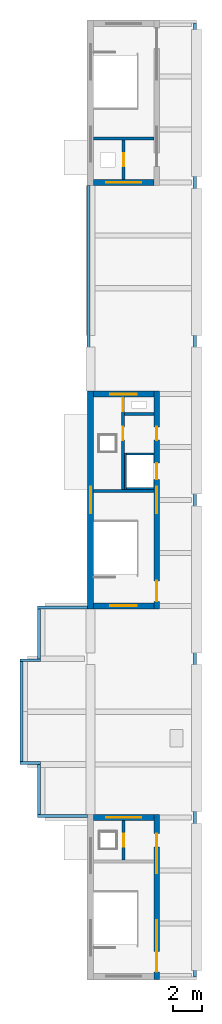
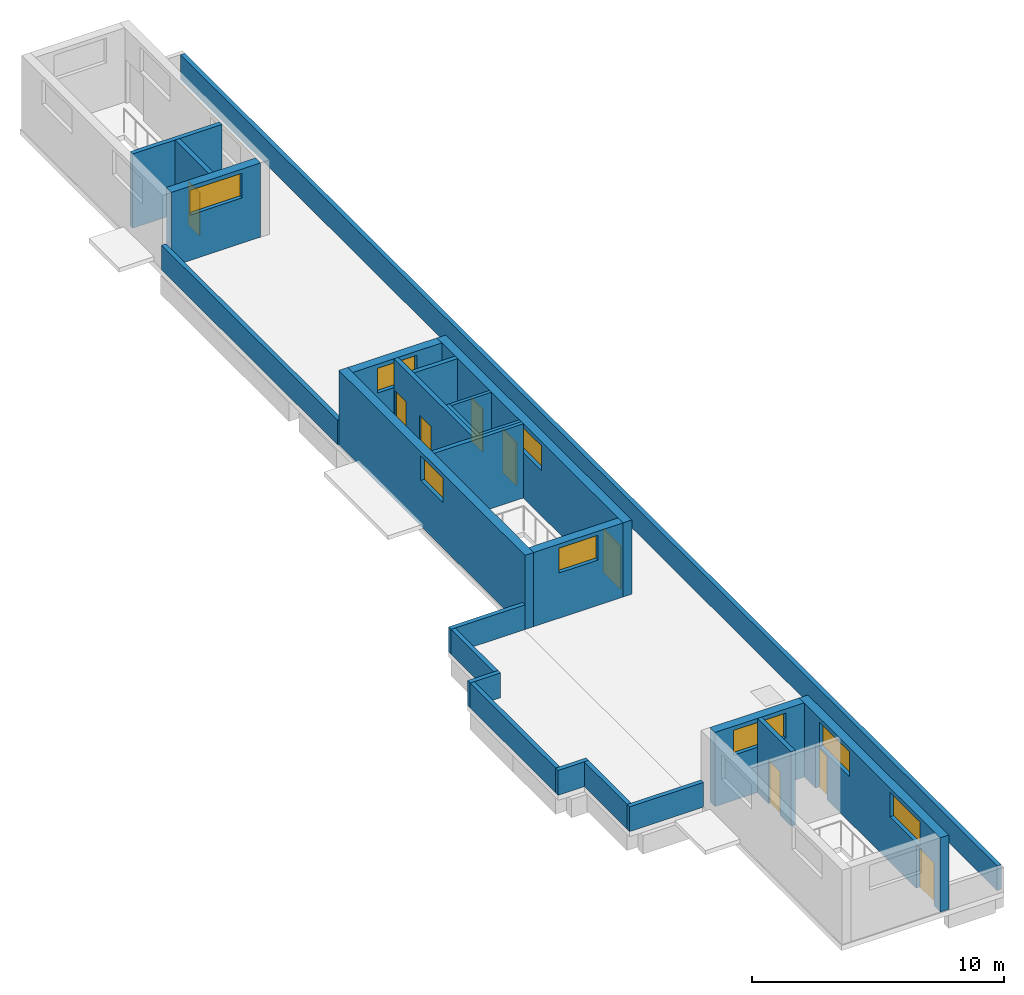
# One storey, part 2 of 4: 25 walls, 9 doors, 8 windows, 17 openings.
"""IFC4 building model written with IfcOpenShell, lengths in metres."""

from ifc_helpers import new_model, si_unit, direction, frame, frame_2d, origin, place, context, subcontext, project, spatial, rectangle, extrude, material, layer, layer_set, type_object, element, fill, save


model = new_model("IFC4")

# Units and contexts
model_context = context("Model", 3, precision=1e-05, world=origin(), true_north=direction((0.0, 1.0)))
body_context = subcontext(model_context, "Body", "Model", "MODEL_VIEW")
ifc_project = project(units=[si_unit("LENGTHUNIT", "METRE"), si_unit("AREAUNIT", "SQUARE_METRE"), si_unit("VOLUMEUNIT", "CUBIC_METRE"), si_unit("PLANEANGLEUNIT", "RADIAN"), si_unit("MASSUNIT", "GRAM", prefix="KILO")], contexts=[model_context])

# Site, building, storey
site_placement = place(None, origin())
site = spatial("IfcSite", under=ifc_project, at=site_placement, CompositionType="ELEMENT")
building_placement = place(site_placement, origin())
building = spatial("IfcBuilding", under=site, at=building_placement, Name="Basin Gate Institute", CompositionType="ELEMENT")
storey_placement = place(building_placement, frame((0.0, 0.0, 75.0)))
storey = spatial("IfcBuildingStorey", under=building, at=storey_placement, Name="RF", CompositionType="ELEMENT", Elevation=75.0)

# Walls
ifc_material_1 = material(Name="Concrete 40 MPa", Category="concrete")
ifc_layer_1 = layer(ifc_material_1, 0.199951171875)
ifc_layer_set_1 = layer_set([ifc_layer_1], Name="Concrete 40 MPa")
wall_type_1 = type_object("IfcWallType", Name="Parapet wall PA1", PredefinedType="PARAPET", material=ifc_layer_set_1)
wall_1_placement = place(storey_placement, frame((57.699951171875, 46.10009765625, 0.0), z_axis=(0.0, 0.0, 1.0), x_axis=(0.0, 1.0, 0.0)))
element("IfcWall", 1, at=wall_1_placement, inside=storey, type_object=wall_type_1, material=ifc_layer_set_1, Name="Parapet wall PA1 RF W1", PredefinedType="PARAPET", context=body_context, shape_type="SweptSolid", body=[
    extrude(rectangle(XDim=3.39990234375, YDim=0.199951171875, at=frame_2d((1.699951171875, 0.0))), origin(), (0.0, 0.0, 1.0), 1.199951171875),
])
wall_2_placement = place(storey_placement, frame((57.800048828125, 49.60009765625, 0.0), z_axis=(0.0, 0.0, 1.0), x_axis=(-1.0, 0.0, 0.0)))
element("IfcWall", 2, at=wall_2_placement, inside=storey, type_object=wall_type_1, material=ifc_layer_set_1, Name="Parapet wall PA1 RF W2", PredefinedType="PARAPET", context=body_context, shape_type="SweptSolid", body=[
    extrude(rectangle(XDim=1.400146484375, YDim=0.199951171875, at=frame_2d((0.7001953125, 0.0))), origin(), (0.0, 0.0, 1.0), 1.199951171875),
])
wall_3_placement = place(storey_placement, frame((56.5, 49.699951171875, 0.0), z_axis=(0.0, 0.0, 1.0), x_axis=(0.0, 1.0, 0.0)))
element("IfcWall", 3, at=wall_3_placement, inside=storey, type_object=wall_type_1, material=ifc_layer_set_1, Name="Parapet wall PA1 RF W3", PredefinedType="PARAPET", context=body_context, shape_type="SweptSolid", body=[
    extrude(rectangle(XDim=6.800048828125, YDim=0.199951171875, at=frame_2d((3.39990234375, 0.0))), origin(), (0.0, 0.0, 1.0), 1.199951171875),
])
wall_4_placement = place(storey_placement, frame((56.39990234375, 56.60009765625, 0.0), z_axis=(0.0, 0.0, 1.0), x_axis=(1.0, 0.0, 0.0)))
element("IfcWall", 4, at=wall_4_placement, inside=storey, type_object=wall_type_1, material=ifc_layer_set_1, Name="Parapet wall PA1 RF W4", PredefinedType="PARAPET", context=body_context, shape_type="SweptSolid", body=[
    extrude(rectangle(XDim=1.400146484375, YDim=0.199951171875, at=frame_2d((0.7001953125, 0.0))), origin(), (0.0, 0.0, 1.0), 1.199951171875),
])
wall_5_placement = place(storey_placement, frame((57.699951171875, 56.699951171875, 0.0), z_axis=(0.0, 0.0, 1.0), x_axis=(0.0, 1.0, 0.0)))
element("IfcWall", 5, at=wall_5_placement, inside=storey, type_object=wall_type_1, material=ifc_layer_set_1, Name="Parapet wall PA1 RF W5", PredefinedType="PARAPET", context=body_context, shape_type="SweptSolid", body=[
    extrude(rectangle(XDim=3.400146484375, YDim=0.199951171875, at=frame_2d((1.7001953125, 0.0))), origin(), (0.0, 0.0, 1.0), 1.199951171875),
])
wall_6_placement = place(storey_placement, frame((57.60009765625, 60.199951171875, 0.0), z_axis=(0.0, 0.0, 1.0), x_axis=(1.0, 0.0, 0.0)))
element("IfcWall", 6, at=wall_6_placement, inside=storey, type_object=wall_type_1, material=ifc_layer_set_1, Name="Parapet wall PA1 RF W6", PredefinedType="PARAPET", context=body_context, shape_type="SweptSolid", body=[
    extrude(rectangle(XDim=3.39990234375, YDim=0.199951171875, at=frame_2d((1.699951171875, 0.0))), origin(), (0.0, 0.0, 1.0), 1.199951171875),
])
wall_7_placement = place(storey_placement, frame((61.050048828125, 74.89990234375, 0.0), z_axis=(0.0, 0.0, 1.0), x_axis=(0.0, 1.0, 0.0)))
element("IfcWall", 7, at=wall_7_placement, inside=storey, type_object=wall_type_1, material=ifc_layer_set_1, Name="Parapet wall PA1 RF W7", PredefinedType="PARAPET", context=body_context, shape_type="SweptSolid", body=[
    extrude(rectangle(XDim=14.0, YDim=0.199951171875, at=frame_2d((7.0, 0.0))), origin(), (0.0, 0.0, 1.0), 1.199951171875),
])
wall_8_placement = place(storey_placement, frame((68.300048828125, 99.949951171875, 0.0), z_axis=(0.0, 0.0, 1.0), x_axis=(0.0, -1.0, 0.0)))
element("IfcWall", 8, at=wall_8_placement, inside=storey, type_object=wall_type_1, material=ifc_layer_set_1, Name="Parapet wall PA1 RF W9", PredefinedType="PARAPET", context=body_context, shape_type="SweptSolid", body=[
    extrude(rectangle(XDim=64.89990234375, YDim=0.199951171875, at=frame_2d((32.449951171875, 0.0))), origin(), (0.0, 0.0, 1.0), 1.199951171875),
])
wall_9_placement = place(storey_placement, frame((61.0, 46.0, 0.0), z_axis=(0.0, 0.0, 1.0), x_axis=(-1.0, 0.0, 0.0)))
element("IfcWall", 9, at=wall_9_placement, inside=storey, type_object=wall_type_1, material=ifc_layer_set_1, Name="Parapet wall PA1 RF W11", PredefinedType="PARAPET", context=body_context, shape_type="SweptSolid", body=[
    extrude(rectangle(XDim=3.39990234375, YDim=0.199951171875, at=frame_2d((1.699951171875, 0.0))), origin(), (0.0, 0.0, 1.0), 1.199951171875),
])

# Wall, opening, door
ifc_material_2 = material(Name="Concrete 40 MPa", Category="concrete")
ifc_layer_2 = layer(ifc_material_2, 0.199951171875)
ifc_layer_set_2 = layer_set([ifc_layer_2], Name="Concrete 40 MPa")
wall_type_2 = type_object("IfcWallType", Name="Penthouse partition wall RW2 R60", PredefinedType="SOLIDWALL", material=ifc_layer_set_2)
wall_10_placement = place(storey_placement, frame((63.449951171875, 43.02490234375, 0.0), z_axis=(0.0, 0.0, 1.0), x_axis=(0.0, 1.0, 0.0)))
wall_10 = element("IfcWall", 10, at=wall_10_placement, inside=storey, type_object=wall_type_2, material=ifc_layer_set_2, Name="Penthouse partition RW2 WS", PredefinedType="SOLIDWALL", context=body_context, shape_type="SweptSolid", body=[
    extrude(rectangle(XDim=2.675048828125, YDim=0.199951171875, at=frame_2d((1.33740234375, 0.0))), origin(), (0.0, 0.0, 1.0), 3.60009765625),
])
opening_1_placement = place(wall_10_placement, frame((0.887451171875, 0.0, 0.0)))
opening_1 = element("IfcOpeningElement", 11, at=opening_1_placement, cuts=wall_10, Name="Opening D14", PredefinedType="OPENING", context=body_context, shape_type="SweptSolid", body=[
    extrude(rectangle(XDim=0.89990234375, YDim=2.10009765625, at=frame_2d((0.449951171875, 1.050048828125))), frame((0.0, 0.10986328125, 0.0), z_axis=(0.0, -1.0, 0.0), x_axis=(1.0, 0.0, 0.0)), (0.0, 0.0, 1.0), 0.219970703125),
])
ifc_material_3 = material(Name="Steel fire door", Category="steel")
door_type_1 = type_object("IfcDoorType", Name="Plant room door D14", OperationType="NOTDEFINED", PredefinedType="DOOR", material=ifc_material_3)
door_1_placement = place(opening_1_placement, origin())
door_1 = element("IfcDoor", 12, at=door_1_placement, inside=storey, type_object=door_type_1, material=ifc_material_3, Name="Door to Exhaust Fan Room WS", OperationType="SINGLE_SWING_RIGHT", OverallHeight=2.10009765625, OverallWidth=0.89990234375, PredefinedType="DOOR", context=body_context, shape_type="SweptSolid", body=[
    extrude(rectangle(XDim=0.89990234375, YDim=2.10009765625, at=frame_2d((0.449951171875, 1.050048828125))), frame((0.0, 0.02490234375, 0.0), z_axis=(0.0, -1.0, 0.0), x_axis=(1.0, 0.0, 0.0)), (0.0, 0.0, 1.0), 0.050048828125),
])
fill(opening_1, door_1)

# Wall
wall_11_placement = place(storey_placement, frame((63.5, 73.35009765625, 0.0), z_axis=(0.0, 0.0, 1.0), x_axis=(1.0, 0.0, 0.0)))
element("IfcWall", 13, at=wall_11_placement, inside=storey, type_object=wall_type_2, material=ifc_layer_set_2, Name="Penthouse partition RW2 WM", PredefinedType="SOLIDWALL", context=body_context, shape_type="SweptSolid", body=[
    extrude(rectangle(XDim=2.0, YDim=0.199951171875, at=frame_2d((1.0, 0.0))), origin(), (0.0, 0.0, 1.0), 3.60009765625),
])

# Wall, openings, doors
wall_12_placement = place(storey_placement, frame((63.39990234375, 68.22509765625, 0.0), z_axis=(0.0, 0.0, 1.0), x_axis=(0.0, 1.0, 0.0)))
wall_12 = element("IfcWall", 14, at=wall_12_placement, inside=storey, type_object=wall_type_2, material=ifc_layer_set_2, Name="Penthouse partition RW2 WM", PredefinedType="SOLIDWALL", context=body_context, shape_type="SweptSolid", body=[
    extrude(rectangle(XDim=6.27490234375, YDim=0.199951171875, at=frame_2d((3.137451171875, 0.0))), origin(), (0.0, 0.0, 1.0), 3.60009765625),
])
opening_2_placement = place(wall_12_placement, frame((3.35009765625, 0.0, 0.0)))
opening_2 = element("IfcOpeningElement", 15, at=opening_2_placement, cuts=wall_12, Name="Opening D14", PredefinedType="OPENING", context=body_context, shape_type="SweptSolid", body=[
    extrude(rectangle(XDim=0.89990234375, YDim=2.10009765625, at=frame_2d((0.449951171875, 1.050048828125))), frame((0.0, 0.10986328125, 0.0), z_axis=(0.0, -1.0, 0.0), x_axis=(1.0, 0.0, 0.0)), (0.0, 0.0, 1.0), 0.219970703125),
])
opening_3_placement = place(wall_12_placement, frame((5.300048828125, 0.0, 0.0)))
opening_3 = element("IfcOpeningElement", 16, at=opening_3_placement, cuts=wall_12, Name="Opening D14", PredefinedType="OPENING", context=body_context, shape_type="SweptSolid", body=[
    extrude(rectangle(XDim=0.89990234375, YDim=2.10009765625, at=frame_2d((0.449951171875, 1.050048828125))), frame((0.0, 0.10986328125, 0.0), z_axis=(0.0, -1.0, 0.0), x_axis=(1.0, 0.0, 0.0)), (0.0, 0.0, 1.0), 0.219970703125),
])
door_2_placement = place(opening_2_placement, origin())
door_2 = element("IfcDoor", 17, at=door_2_placement, inside=storey, type_object=door_type_1, material=ifc_material_3, Name="Door to Exhaust Fan Room WM", OperationType="SINGLE_SWING_RIGHT", OverallHeight=2.10009765625, OverallWidth=0.89990234375, PredefinedType="DOOR", context=body_context, shape_type="SweptSolid", body=[
    extrude(rectangle(XDim=0.89990234375, YDim=2.10009765625, at=frame_2d((0.449951171875, 1.050048828125))), frame((0.0, 0.02490234375, 0.0), z_axis=(0.0, -1.0, 0.0), x_axis=(1.0, 0.0, 0.0)), (0.0, 0.0, 1.0), 0.050048828125),
])
fill(opening_2, door_2)
door_3_placement = place(opening_3_placement, frame((0.89990234375, 0.0, 0.0), z_axis=(0.0, 0.0, 1.0), x_axis=(-1.0, 0.0, 0.0)))
door_3 = element("IfcDoor", 18, at=door_3_placement, inside=storey, type_object=door_type_1, material=ifc_material_3, Name="Door to Riser Room WM", OperationType="SINGLE_SWING_RIGHT", OverallHeight=2.10009765625, OverallWidth=0.89990234375, PredefinedType="DOOR", context=body_context, shape_type="SweptSolid", body=[
    extrude(rectangle(XDim=0.89990234375, YDim=2.10009765625, at=frame_2d((0.449951171875, 1.050048828125))), frame((0.0, 0.02490234375, 0.0), z_axis=(0.0, -1.0, 0.0), x_axis=(1.0, 0.0, 0.0)), (0.0, 0.0, 1.0), 0.050048828125),
])
fill(opening_3, door_3)

# Wall
wall_13_placement = place(storey_placement, frame((61.39990234375, 68.125, 0.0), z_axis=(0.0, 0.0, 1.0), x_axis=(1.0, 0.0, 0.0)))
element("IfcWall", 19, at=wall_13_placement, inside=storey, type_object=wall_type_2, material=ifc_layer_set_2, Name="Penthouse partition RW2 WM", PredefinedType="SOLIDWALL", context=body_context, shape_type="SweptSolid", body=[
    extrude(rectangle(XDim=4.10009765625, YDim=0.199951171875, at=frame_2d((2.050048828125, 0.0))), origin(), (0.0, 0.0, 1.0), 3.60009765625),
])

# Wall, opening, door
wall_14_placement = place(storey_placement, frame((63.449951171875, 89.300048828125, 0.0), z_axis=(0.0, 0.0, 1.0), x_axis=(0.0, 1.0, 0.0)))
wall_14 = element("IfcWall", 20, at=wall_14_placement, inside=storey, type_object=wall_type_2, material=ifc_layer_set_2, Name="Penthouse partition RW2 WN", PredefinedType="SOLIDWALL", context=body_context, shape_type="SweptSolid", body=[
    extrude(rectangle(XDim=2.675048828125, YDim=0.199951171875, at=frame_2d((1.33740234375, 0.0))), origin(), (0.0, 0.0, 1.0), 3.60009765625),
])
opening_4_placement = place(wall_14_placement, frame((0.887451171875, 0.0, 0.0)))
opening_4 = element("IfcOpeningElement", 21, at=opening_4_placement, cuts=wall_14, Name="Opening D14", PredefinedType="OPENING", context=body_context, shape_type="SweptSolid", body=[
    extrude(rectangle(XDim=0.89990234375, YDim=2.10009765625, at=frame_2d((0.449951171875, 1.050048828125))), frame((0.0, 0.10986328125, 0.0), z_axis=(0.0, -1.0, 0.0), x_axis=(1.0, 0.0, 0.0)), (0.0, 0.0, 1.0), 0.219970703125),
])
door_4_placement = place(opening_4_placement, origin())
door_4 = element("IfcDoor", 22, at=door_4_placement, inside=storey, type_object=door_type_1, material=ifc_material_3, Name="Door to Electrical Room WN", OperationType="SINGLE_SWING_LEFT", OverallHeight=2.10009765625, OverallWidth=0.89990234375, PredefinedType="DOOR", context=body_context, shape_type="SweptSolid", body=[
    extrude(rectangle(XDim=0.89990234375, YDim=2.10009765625, at=frame_2d((0.449951171875, 1.050048828125))), frame((0.0, 0.02490234375, 0.0), z_axis=(0.0, -1.0, 0.0), x_axis=(1.0, 0.0, 0.0)), (0.0, 0.0, 1.0), 0.050048828125),
])
fill(opening_4, door_4)

# Walls
wall_15_placement = place(storey_placement, frame((61.39990234375, 92.074951171875, 0.0), z_axis=(0.0, 0.0, 1.0), x_axis=(1.0, 0.0, 0.0)))
element("IfcWall", 23, at=wall_15_placement, inside=storey, type_object=wall_type_2, material=ifc_layer_set_2, Name="Penthouse partition RW2 WN", PredefinedType="SOLIDWALL", context=body_context, shape_type="SweptSolid", body=[
    extrude(rectangle(XDim=4.10009765625, YDim=0.199951171875, at=frame_2d((2.050048828125, 0.0))), origin(), (0.0, 0.0, 1.0), 3.60009765625),
])
ifc_material_4 = material(Name="Concrete 40 MPa", Category="concrete")
ifc_layer_3 = layer(ifc_material_4, 0.14990234375)
ifc_layer_set_3 = layer_set([ifc_layer_3], Name="Concrete 40 MPa")
wall_type_3 = type_object("IfcWallType", Name="Wall LS1 lift shaft enclosure R60", PredefinedType="SOLIDWALL", material=ifc_layer_set_3)
wall_16_placement = place(storey_placement, frame((63.574951171875, 68.199951171875, 0.0), z_axis=(0.0, 0.0, 1.0), x_axis=(0.0, 1.0, 0.0)))
element("IfcWall", 24, at=wall_16_placement, inside=storey, type_object=wall_type_3, material=ifc_layer_set_3, Name="Lift shaft enclosure LF1 RF UL", PredefinedType="SOLIDWALL", context=body_context, shape_type="SweptSolid", body=[
    extrude(rectangle(XDim=2.5, YDim=0.14990234375, at=frame_2d((1.25, 0.0))), origin(), (0.0, 0.0, 1.0), 3.60009765625),
])
for number, where, z_axis, x_axis, name in (
    (25, (63.64990234375, 68.27490234375, 0.0), (0.0, 0.0, 1.0), (1.0, 0.0, 0.0), "Lift shaft enclosure LF1 RF RL"),
    (26, (63.64990234375, 70.625, 0.0), (0.0, 0.0, 1.0), (1.0, 0.0, 0.0), "Lift shaft enclosure LF1 RF RH"),
):
    element("IfcWall", number, at=place(storey_placement, frame(where, z_axis=z_axis, x_axis=x_axis)), inside=storey, type_object=wall_type_3, material=ifc_layer_set_3, Name=name, PredefinedType="SOLIDWALL", context=body_context, shape_type="SweptSolid", body=[
        extrude(rectangle(XDim=1.85009765625, YDim=0.14990234375, at=frame_2d((0.925048828125, 0.0))), origin(), (0.0, 0.0, 1.0), 3.60009765625),
    ])

# Wall, openings, windows, doors
ifc_material_5 = material(Name="Concrete 50 MPa", Category="concrete")
ifc_layer_4 = layer(ifc_material_5, 0.39990234375)
ifc_layer_set_4 = layer_set([ifc_layer_4], Name="Concrete 50 MPa")
wall_type_4 = type_object("IfcWallType", Name="Wall SW2 R60", PredefinedType="SHEAR", material=ifc_layer_set_4)
wall_17_placement = place(storey_placement, frame((65.699951171875, 34.89990234375, 0.0), z_axis=(0.0, 0.0, 1.0), x_axis=(0.0, 1.0, 0.0)))
wall_17 = element("IfcWall", 27, at=wall_17_placement, inside=storey, type_object=wall_type_4, material=ifc_layer_set_4, Name="WALL/RF/WS/C", PredefinedType="SHEAR", context=body_context, shape_type="SweptSolid", body=[
    extrude(rectangle(XDim=11.2001953125, YDim=0.39990234375, at=frame_2d((5.60009765625, 0.0))), origin(), (0.0, 0.0, 1.0), 3.60009765625),
])
opening_5_placement = place(wall_17_placement, frame((0.5, 0.0, 0.0)))
opening_5 = element("IfcOpeningElement", 28, at=opening_5_placement, cuts=wall_17, Name="Opening DF01", PredefinedType="OPENING", context=body_context, shape_type="SweptSolid", body=[
    extrude(rectangle(XDim=1.39990234375, YDim=2.10009765625, at=frame_2d((0.699951171875, 1.050048828125))), frame((0.0, 0.2099609375, 0.0), z_axis=(0.0, -1.0, 0.0), x_axis=(1.0, 0.0, 0.0)), (0.0, 0.0, 1.0), 0.419921875),
])
opening_6_placement = place(wall_17_placement, frame((1.60009765625, 0.0, 2.199951171875)))
opening_6 = element("IfcOpeningElement", 29, at=opening_6_placement, cuts=wall_17, Name="Opening LV1", PredefinedType="OPENING", context=body_context, shape_type="SweptSolid", body=[
    extrude(rectangle(XDim=2.39990234375, YDim=1.199951171875, at=frame_2d((1.199951171875, 0.60009765625))), frame((0.0, 0.2099609375, 0.0), z_axis=(0.0, -1.0, 0.0), x_axis=(1.0, 0.0, 0.0)), (0.0, 0.0, 1.0), 0.419921875),
])
opening_7_placement = place(wall_17_placement, frame((7.199951171875, 0.0, 2.199951171875)))
opening_7 = element("IfcOpeningElement", 30, at=opening_7_placement, cuts=wall_17, Name="Opening LV1", PredefinedType="OPENING", context=body_context, shape_type="SweptSolid", body=[
    extrude(rectangle(XDim=2.39990234375, YDim=1.199951171875, at=frame_2d((1.199951171875, 0.60009765625))), frame((0.0, 0.2099609375, 0.0), z_axis=(0.0, -1.0, 0.0), x_axis=(1.0, 0.0, 0.0)), (0.0, 0.0, 1.0), 0.419921875),
])
opening_8_placement = place(wall_17_placement, frame((9.012451171875, 0.0, 0.0)))
opening_8 = element("IfcOpeningElement", 31, at=opening_8_placement, cuts=wall_17, Name="Opening D14", PredefinedType="OPENING", context=body_context, shape_type="SweptSolid", body=[
    extrude(rectangle(XDim=0.89990234375, YDim=2.10009765625, at=frame_2d((0.449951171875, 1.050048828125))), frame((0.0, 0.2099609375, 0.0), z_axis=(0.0, -1.0, 0.0), x_axis=(1.0, 0.0, 0.0)), (0.0, 0.0, 1.0), 0.419921875),
])
ifc_material_6 = material(Name="Aluminium louvre", Category="aluminium")
window_type_1 = type_object("IfcWindowType", Name="Exhaust louvre LV1", PartitioningType="SINGLE_PANEL", PredefinedType="USERDEFINED", material=ifc_material_6)
window_1_placement = place(opening_6_placement, origin())
window_1 = element("IfcWindow", 32, at=window_1_placement, inside=storey, type_object=window_type_1, material=ifc_material_6, Name="Exhaust louvre LV1 WS stack C1", ObjectType="LOUVRE", OverallHeight=1.199951171875, OverallWidth=2.39990234375, PartitioningType="SINGLE_PANEL", PredefinedType="USERDEFINED", context=body_context, shape_type="SweptSolid", body=[
    extrude(rectangle(XDim=2.39990234375, YDim=1.199951171875, at=frame_2d((1.199951171875, 0.60009765625))), frame((0.0, 0.030029296875, 0.0), z_axis=(0.0, -1.0, 0.0), x_axis=(1.0, 0.0, 0.0)), (0.0, 0.0, 1.0), 0.06005859375),
])
fill(opening_6, window_1)
window_2_placement = place(opening_7_placement, origin())
window_2 = element("IfcWindow", 33, at=window_2_placement, inside=storey, type_object=window_type_1, material=ifc_material_6, Name="Exhaust louvre LV1 WS stack C2", ObjectType="LOUVRE", OverallHeight=1.199951171875, OverallWidth=2.39990234375, PartitioningType="SINGLE_PANEL", PredefinedType="USERDEFINED", context=body_context, shape_type="SweptSolid", body=[
    extrude(rectangle(XDim=2.39990234375, YDim=1.199951171875, at=frame_2d((1.199951171875, 0.60009765625))), frame((0.0, 0.030029296875, 0.0), z_axis=(0.0, -1.0, 0.0), x_axis=(1.0, 0.0, 0.0)), (0.0, 0.0, 1.0), 0.06005859375),
])
fill(opening_7, window_2)
ifc_material_7 = material(Name="Steel fire door", Category="steel")
door_type_2 = type_object("IfcDoorType", Name="FD30 Roof access door DF", OperationType="DOUBLE_DOOR_SINGLE_SWING", PredefinedType="DOOR", material=ifc_material_7)
door_5_placement = place(opening_5_placement, frame((1.39990234375, 0.0, 0.0), z_axis=(0.0, 0.0, 1.0), x_axis=(-1.0, 0.0, 0.0)))
door_5 = element("IfcDoor", 34, at=door_5_placement, inside=storey, type_object=door_type_2, material=ifc_material_7, Name="Roof access door ST-WS", OperationType="DOUBLE_DOOR_SINGLE_SWING", OverallHeight=2.10009765625, OverallWidth=1.39990234375, PredefinedType="DOOR", context=body_context, shape_type="SweptSolid", body=[
    extrude(rectangle(XDim=1.39990234375, YDim=2.10009765625, at=frame_2d((0.699951171875, 1.050048828125))), frame((0.0, 0.02490234375, 0.0), z_axis=(0.0, -1.0, 0.0), x_axis=(1.0, 0.0, 0.0)), (0.0, 0.0, 1.0), 0.050048828125),
])
fill(opening_5, door_5)
door_6_placement = place(opening_8_placement, origin())
door_6 = element("IfcDoor", 35, at=door_6_placement, inside=storey, type_object=door_type_1, material=ifc_material_3, Name="Door to Lift Machine Room LP1", OperationType="SINGLE_SWING_LEFT", OverallHeight=2.10009765625, OverallWidth=0.89990234375, PredefinedType="DOOR", context=body_context, shape_type="SweptSolid", body=[
    extrude(rectangle(XDim=0.89990234375, YDim=2.10009765625, at=frame_2d((0.449951171875, 1.050048828125))), frame((0.0, 0.02490234375, 0.0), z_axis=(0.0, -1.0, 0.0), x_axis=(1.0, 0.0, 0.0)), (0.0, 0.0, 1.0), 0.050048828125),
])
fill(opening_8, door_6)

# Wall, opening, window
wall_18_placement = place(storey_placement, frame((61.39990234375, 45.89990234375, 0.0), z_axis=(0.0, 0.0, 1.0), x_axis=(1.0, 0.0, 0.0)))
wall_18 = element("IfcWall", 36, at=wall_18_placement, inside=storey, type_object=wall_type_4, material=ifc_layer_set_4, Name="WALL/RF/WS/N", PredefinedType="SHEAR", context=body_context, shape_type="SweptSolid", body=[
    extrude(rectangle(XDim=4.10009765625, YDim=0.39990234375, at=frame_2d((2.050048828125, 0.0))), origin(), (0.0, 0.0, 1.0), 3.60009765625),
])
opening_9_placement = place(wall_18_placement, frame((0.85009765625, 0.0, 2.199951171875)))
opening_9 = element("IfcOpeningElement", 37, at=opening_9_placement, cuts=wall_18, Name="Opening LV1", PredefinedType="OPENING", context=body_context, shape_type="SweptSolid", body=[
    extrude(rectangle(XDim=2.39990234375, YDim=1.199951171875, at=frame_2d((1.199951171875, 0.60009765625))), frame((0.0, 0.2099609375, 0.0), z_axis=(0.0, -1.0, 0.0), x_axis=(1.0, 0.0, 0.0)), (0.0, 0.0, 1.0), 0.419921875),
])
window_3_placement = place(opening_9_placement, origin())
window_3 = element("IfcWindow", 38, at=window_3_placement, inside=storey, type_object=window_type_1, material=ifc_material_6, Name="Exhaust louvre LV1 WS stack N1", ObjectType="LOUVRE", OverallHeight=1.199951171875, OverallWidth=2.39990234375, PartitioningType="SINGLE_PANEL", PredefinedType="USERDEFINED", context=body_context, shape_type="SweptSolid", body=[
    extrude(rectangle(XDim=2.39990234375, YDim=1.199951171875, at=frame_2d((1.199951171875, 0.60009765625))), frame((0.0, 0.030029296875, 0.0), z_axis=(0.0, -1.0, 0.0), x_axis=(1.0, 0.0, 0.0)), (0.0, 0.0, 1.0), 0.06005859375),
])
fill(opening_9, window_3)

wall_19_placement = place(storey_placement, frame((61.199951171875, 60.10009765625, 0.0), z_axis=(0.0, 0.0, 1.0), x_axis=(0.0, 1.0, 0.0)))
wall_19 = element("IfcWall", 39, at=wall_19_placement, inside=storey, type_object=wall_type_4, material=ifc_layer_set_4, Name="WALL/RF/WM/L", PredefinedType="SHEAR", context=body_context, shape_type="SweptSolid", body=[
    extrude(rectangle(XDim=14.7998046875, YDim=0.39990234375, at=frame_2d((7.39990234375, 0.0))), origin(), (0.0, 0.0, 1.0), 3.60009765625),
])
opening_10_placement = place(wall_19_placement, frame((6.5, 0.0, 2.199951171875)))
opening_10 = element("IfcOpeningElement", 40, at=opening_10_placement, cuts=wall_19, Name="Opening LV2", PredefinedType="OPENING", context=body_context, shape_type="SweptSolid", body=[
    extrude(rectangle(XDim=1.800048828125, YDim=1.199951171875, at=frame_2d((0.89990234375, 0.60009765625))), frame((0.0, 0.2099609375, 0.0), z_axis=(0.0, -1.0, 0.0), x_axis=(1.0, 0.0, 0.0)), (0.0, 0.0, 1.0), 0.419921875),
])
ifc_material_8 = material(Name="Aluminium louvre", Category="aluminium")
window_type_2 = type_object("IfcWindowType", Name="Exhaust louvre LV2", PartitioningType="SINGLE_PANEL", PredefinedType="USERDEFINED", material=ifc_material_8)
window_4_placement = place(opening_10_placement, origin())
window_4 = element("IfcWindow", 41, at=window_4_placement, inside=storey, type_object=window_type_2, material=ifc_material_8, Name="Exhaust louvre LV2 WM stack L1", ObjectType="LOUVRE", OverallHeight=1.199951171875, OverallWidth=1.800048828125, PartitioningType="SINGLE_PANEL", PredefinedType="USERDEFINED", context=body_context, shape_type="SweptSolid", body=[
    extrude(rectangle(XDim=1.800048828125, YDim=1.199951171875, at=frame_2d((0.89990234375, 0.60009765625))), frame((0.0, 0.030029296875, 0.0), z_axis=(0.0, -1.0, 0.0), x_axis=(1.0, 0.0, 0.0)), (0.0, 0.0, 1.0), 0.06005859375),
])
fill(opening_10, window_4)

# Wall, openings, window, doors
wall_20_placement = place(storey_placement, frame((65.699951171875, 60.10009765625, 0.0), z_axis=(0.0, 0.0, 1.0), x_axis=(0.0, 1.0, 0.0)))
wall_20 = element("IfcWall", 42, at=wall_20_placement, inside=storey, type_object=wall_type_4, material=ifc_layer_set_4, Name="WALL/RF/WM/C", PredefinedType="SHEAR", context=body_context, shape_type="SweptSolid", body=[
    extrude(rectangle(XDim=14.7998046875, YDim=0.39990234375, at=frame_2d((7.39990234375, 0.0))), origin(), (0.0, 0.0, 1.0), 3.60009765625),
])
opening_11_placement = place(wall_20_placement, frame((8.800048828125, 0.0, 0.0)))
opening_11 = element("IfcOpeningElement", 43, at=opening_11_placement, cuts=wall_20, Name="Opening LD035", PredefinedType="OPENING", context=body_context, shape_type="SweptSolid", body=[
    extrude(rectangle(XDim=1.10009765625, YDim=2.10009765625, at=frame_2d((0.550048828125, 1.050048828125))), frame((0.0, 0.2099609375, 0.0), z_axis=(0.0, -1.0, 0.0), x_axis=(1.0, 0.0, 0.0)), (0.0, 0.0, 1.0), 0.419921875),
])
opening_12_placement = place(wall_20_placement, frame((0.5, 0.0, 0.0)))
opening_12 = element("IfcOpeningElement", 44, at=opening_12_placement, cuts=wall_20, Name="Opening DF02", PredefinedType="OPENING", context=body_context, shape_type="SweptSolid", body=[
    extrude(rectangle(XDim=1.39990234375, YDim=2.10009765625, at=frame_2d((0.699951171875, 1.050048828125))), frame((0.0, 0.2099609375, 0.0), z_axis=(0.0, -1.0, 0.0), x_axis=(1.0, 0.0, 0.0)), (0.0, 0.0, 1.0), 0.419921875),
])
opening_13_placement = place(wall_20_placement, frame((6.5, 0.0, 2.199951171875)))
opening_13 = element("IfcOpeningElement", 45, at=opening_13_placement, cuts=wall_20, Name="Opening LV2", PredefinedType="OPENING", context=body_context, shape_type="SweptSolid", body=[
    extrude(rectangle(XDim=1.800048828125, YDim=1.199951171875, at=frame_2d((0.89990234375, 0.60009765625))), frame((0.0, 0.2099609375, 0.0), z_axis=(0.0, -1.0, 0.0), x_axis=(1.0, 0.0, 0.0)), (0.0, 0.0, 1.0), 0.419921875),
])
opening_14_placement = place(wall_20_placement, frame((11.47509765625, 0.0, 0.0)))
opening_14 = element("IfcOpeningElement", 46, at=opening_14_placement, cuts=wall_20, Name="Opening D14", PredefinedType="OPENING", context=body_context, shape_type="SweptSolid", body=[
    extrude(rectangle(XDim=0.89990234375, YDim=2.10009765625, at=frame_2d((0.449951171875, 1.050048828125))), frame((0.0, 0.2099609375, 0.0), z_axis=(0.0, -1.0, 0.0), x_axis=(1.0, 0.0, 0.0)), (0.0, 0.0, 1.0), 0.419921875),
])
window_5_placement = place(opening_13_placement, origin())
window_5 = element("IfcWindow", 47, at=window_5_placement, inside=storey, type_object=window_type_2, material=ifc_material_8, Name="Exhaust louvre LV2 WM stack C1", ObjectType="LOUVRE", OverallHeight=1.199951171875, OverallWidth=1.800048828125, PartitioningType="SINGLE_PANEL", PredefinedType="USERDEFINED", context=body_context, shape_type="SweptSolid", body=[
    extrude(rectangle(XDim=1.800048828125, YDim=1.199951171875, at=frame_2d((0.89990234375, 0.60009765625))), frame((0.0, 0.030029296875, 0.0), z_axis=(0.0, -1.0, 0.0), x_axis=(1.0, 0.0, 0.0)), (0.0, 0.0, 1.0), 0.06005859375),
])
fill(opening_13, window_5)
door_7_placement = place(opening_12_placement, frame((1.39990234375, 0.0, 0.0), z_axis=(0.0, 0.0, 1.0), x_axis=(-1.0, 0.0, 0.0)))
door_7 = element("IfcDoor", 48, at=door_7_placement, inside=storey, type_object=door_type_2, material=ifc_material_7, Name="Roof access door ST-WM", OperationType="DOUBLE_DOOR_SINGLE_SWING", OverallHeight=2.10009765625, OverallWidth=1.39990234375, PredefinedType="DOOR", context=body_context, shape_type="SweptSolid", body=[
    extrude(rectangle(XDim=1.39990234375, YDim=2.10009765625, at=frame_2d((0.699951171875, 1.050048828125))), frame((0.0, 0.02490234375, 0.0), z_axis=(0.0, -1.0, 0.0), x_axis=(1.0, 0.0, 0.0)), (0.0, 0.0, 1.0), 0.050048828125),
])
fill(opening_12, door_7)
ifc_material_9 = material(Name="Stainless steel", Category="steel")
door_type_3 = type_object("IfcDoorType", Name="FD60 Lift landing door LD", OperationType="SLIDING_TO_LEFT", PredefinedType="DOOR", material=ifc_material_9)
door_8_placement = place(opening_11_placement, origin())
door_8 = element("IfcDoor", 49, at=door_8_placement, inside=storey, type_object=door_type_3, material=ifc_material_9, Name="Lift landing door LF1 RF", OperationType="SLIDING_TO_LEFT", OverallHeight=2.10009765625, OverallWidth=1.10009765625, PredefinedType="DOOR", context=body_context, shape_type="SweptSolid", body=[
    extrude(rectangle(XDim=1.10009765625, YDim=2.10009765625, at=frame_2d((0.550048828125, 1.050048828125))), frame((0.0, 0.02490234375, 0.0), z_axis=(0.0, -1.0, 0.0), x_axis=(1.0, 0.0, 0.0)), (0.0, 0.0, 1.0), 0.050048828125),
])
fill(opening_11, door_8)
door_9_placement = place(opening_14_placement, origin())
door_9 = element("IfcDoor", 50, at=door_9_placement, inside=storey, type_object=door_type_1, material=ifc_material_3, Name="Door to Lift Machine Room LP2", OperationType="SINGLE_SWING_RIGHT", OverallHeight=2.10009765625, OverallWidth=0.89990234375, PredefinedType="DOOR", context=body_context, shape_type="SweptSolid", body=[
    extrude(rectangle(XDim=0.89990234375, YDim=2.10009765625, at=frame_2d((0.449951171875, 1.050048828125))), frame((0.0, 0.02490234375, 0.0), z_axis=(0.0, -1.0, 0.0), x_axis=(1.0, 0.0, 0.0)), (0.0, 0.0, 1.0), 0.050048828125),
])
fill(opening_14, door_9)

# Wall, opening, window
wall_21_placement = place(storey_placement, frame((61.39990234375, 60.300048828125, 0.0), z_axis=(0.0, 0.0, 1.0), x_axis=(1.0, 0.0, 0.0)))
wall_21 = element("IfcWall", 51, at=wall_21_placement, inside=storey, type_object=wall_type_4, material=ifc_layer_set_4, Name="WALL/RF/WM/S", PredefinedType="SHEAR", context=body_context, shape_type="SweptSolid", body=[
    extrude(rectangle(XDim=4.10009765625, YDim=0.39990234375, at=frame_2d((2.050048828125, 0.0))), origin(), (0.0, 0.0, 1.0), 3.60009765625),
])
opening_15_placement = place(wall_21_placement, frame((1.14990234375, 0.0, 2.199951171875)))
opening_15 = element("IfcOpeningElement", 52, at=opening_15_placement, cuts=wall_21, Name="Opening LV2", PredefinedType="OPENING", context=body_context, shape_type="SweptSolid", body=[
    extrude(rectangle(XDim=1.800048828125, YDim=1.199951171875, at=frame_2d((0.89990234375, 0.60009765625))), frame((0.0, 0.2099609375, 0.0), z_axis=(0.0, -1.0, 0.0), x_axis=(1.0, 0.0, 0.0)), (0.0, 0.0, 1.0), 0.419921875),
])
window_6_placement = place(opening_15_placement, origin())
window_6 = element("IfcWindow", 53, at=window_6_placement, inside=storey, type_object=window_type_2, material=ifc_material_8, Name="Exhaust louvre LV2 WM stack S1", ObjectType="LOUVRE", OverallHeight=1.199951171875, OverallWidth=1.800048828125, PartitioningType="SINGLE_PANEL", PredefinedType="USERDEFINED", context=body_context, shape_type="SweptSolid", body=[
    extrude(rectangle(XDim=1.800048828125, YDim=1.199951171875, at=frame_2d((0.89990234375, 0.60009765625))), frame((0.0, 0.030029296875, 0.0), z_axis=(0.0, -1.0, 0.0), x_axis=(1.0, 0.0, 0.0)), (0.0, 0.0, 1.0), 0.06005859375),
])
fill(opening_15, window_6)

wall_22_placement = place(storey_placement, frame((61.39990234375, 74.699951171875, 0.0), z_axis=(0.0, 0.0, 1.0), x_axis=(1.0, 0.0, 0.0)))
wall_22 = element("IfcWall", 54, at=wall_22_placement, inside=storey, type_object=wall_type_4, material=ifc_layer_set_4, Name="WALL/RF/WM/N", PredefinedType="SHEAR", context=body_context, shape_type="SweptSolid", body=[
    extrude(rectangle(XDim=4.10009765625, YDim=0.39990234375, at=frame_2d((2.050048828125, 0.0))), origin(), (0.0, 0.0, 1.0), 3.60009765625),
])
opening_16_placement = place(wall_22_placement, frame((1.14990234375, 0.0, 2.199951171875)))
opening_16 = element("IfcOpeningElement", 55, at=opening_16_placement, cuts=wall_22, Name="Opening LV2", PredefinedType="OPENING", context=body_context, shape_type="SweptSolid", body=[
    extrude(rectangle(XDim=1.800048828125, YDim=1.199951171875, at=frame_2d((0.89990234375, 0.60009765625))), frame((0.0, 0.2099609375, 0.0), z_axis=(0.0, -1.0, 0.0), x_axis=(1.0, 0.0, 0.0)), (0.0, 0.0, 1.0), 0.419921875),
])
window_7_placement = place(opening_16_placement, origin())
window_7 = element("IfcWindow", 56, at=window_7_placement, inside=storey, type_object=window_type_2, material=ifc_material_8, Name="Exhaust louvre LV2 WM stack N1", ObjectType="LOUVRE", OverallHeight=1.199951171875, OverallWidth=1.800048828125, PartitioningType="SINGLE_PANEL", PredefinedType="USERDEFINED", context=body_context, shape_type="SweptSolid", body=[
    extrude(rectangle(XDim=1.800048828125, YDim=1.199951171875, at=frame_2d((0.89990234375, 0.60009765625))), frame((0.0, 0.030029296875, 0.0), z_axis=(0.0, -1.0, 0.0), x_axis=(1.0, 0.0, 0.0)), (0.0, 0.0, 1.0), 0.06005859375),
])
fill(opening_16, window_7)

wall_23_placement = place(storey_placement, frame((61.39990234375, 89.10009765625, 0.0), z_axis=(0.0, 0.0, 1.0), x_axis=(1.0, 0.0, 0.0)))
wall_23 = element("IfcWall", 57, at=wall_23_placement, inside=storey, type_object=wall_type_4, material=ifc_layer_set_4, Name="WALL/RF/WN/S", PredefinedType="SHEAR", context=body_context, shape_type="SweptSolid", body=[
    extrude(rectangle(XDim=4.10009765625, YDim=0.39990234375, at=frame_2d((2.050048828125, 0.0))), origin(), (0.0, 0.0, 1.0), 3.60009765625),
])
opening_17_placement = place(wall_23_placement, frame((0.85009765625, 0.0, 2.199951171875)))
opening_17 = element("IfcOpeningElement", 58, at=opening_17_placement, cuts=wall_23, Name="Opening LV1", PredefinedType="OPENING", context=body_context, shape_type="SweptSolid", body=[
    extrude(rectangle(XDim=2.39990234375, YDim=1.199951171875, at=frame_2d((1.199951171875, 0.60009765625))), frame((0.0, 0.2099609375, 0.0), z_axis=(0.0, -1.0, 0.0), x_axis=(1.0, 0.0, 0.0)), (0.0, 0.0, 1.0), 0.419921875),
])
window_8_placement = place(opening_17_placement, origin())
window_8 = element("IfcWindow", 59, at=window_8_placement, inside=storey, type_object=window_type_1, material=ifc_material_6, Name="Exhaust louvre LV1 WN stack S1", ObjectType="LOUVRE", OverallHeight=1.199951171875, OverallWidth=2.39990234375, PartitioningType="SINGLE_PANEL", PredefinedType="USERDEFINED", context=body_context, shape_type="SweptSolid", body=[
    extrude(rectangle(XDim=2.39990234375, YDim=1.199951171875, at=frame_2d((1.199951171875, 0.60009765625))), frame((0.0, 0.030029296875, 0.0), z_axis=(0.0, -1.0, 0.0), x_axis=(1.0, 0.0, 0.0)), (0.0, 0.0, 1.0), 0.06005859375),
])
fill(opening_17, window_8)

save(model, "model.ifc")
